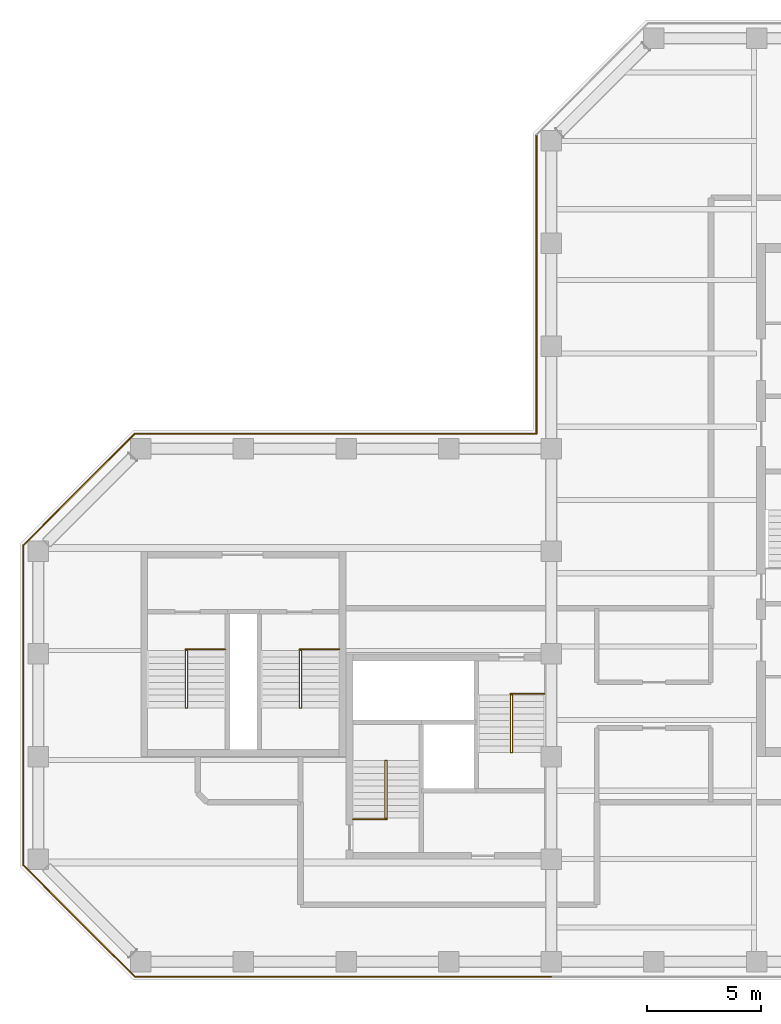
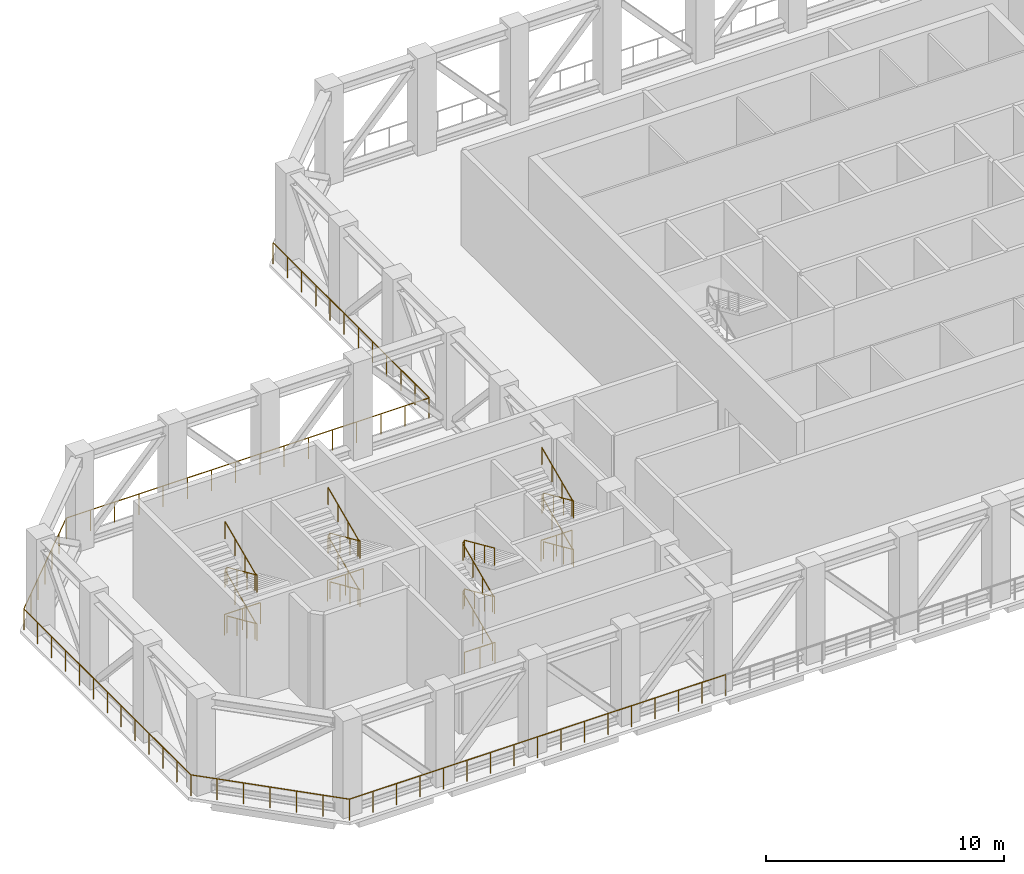
# One storey, part 12 of 13: 14 railings.
"""IFC4 building model written with IfcOpenShell, lengths in metres."""

from ifc_helpers import new_model, si_unit, direction, frame, origin, origin_2d, place, context, subcontext, project, spatial, circle, extrude, material, type_object, element, save


model = new_model("IFC4")

# Units and contexts
model_context = context("Model", 3, precision=1e-05, world=origin(), true_north=direction((0.0, 1.0)))
body_context = subcontext(model_context, "Body", "Model", "MODEL_VIEW")
ifc_project = project(units=[si_unit("LENGTHUNIT", "METRE"), si_unit("AREAUNIT", "SQUARE_METRE"), si_unit("VOLUMEUNIT", "CUBIC_METRE"), si_unit("PLANEANGLEUNIT", "RADIAN"), si_unit("MASSUNIT", "GRAM", prefix="KILO")], contexts=[model_context])

# Site, building, storey
site_placement = place(None, origin())
site = spatial("IfcSite", under=ifc_project, at=site_placement, CompositionType="ELEMENT")
building_placement = place(site_placement, origin())
building = spatial("IfcBuilding", under=site, at=building_placement, Name="Quoin Convention Tower", CompositionType="ELEMENT")
storey_placement = place(building_placement, frame((0.0, 0.0, 206.89990234375)))
storey = spatial("IfcBuildingStorey", under=building, at=storey_placement, Name="L54", CompositionType="ELEMENT", Elevation=206.89990234375)

# Railings
ifc_material = material(Name="Stainless steel", Category="steel")
railing_type_1 = type_object("IfcRailingType", Name="Guard 1100", PredefinedType="GUARDRAIL", material=ifc_material)
railing_1_placement = place(storey_placement, frame((35.35009765625, 76.769287109375, 0.0)))
element("IfcRailing", 1, at=railing_1_placement, inside=storey, type_object=railing_type_1, Name="grd-L54-36000_76500", PredefinedType="GUARDRAIL", context=body_context, shape_type="SweptSolid", body=[
    extrude(circle(Radius=0.02392578125, at=origin_2d()), frame((0.0, 0.0, 1.076171875), z_axis=(0.0, -1.0, 0.0), x_axis=(1.0, 0.0, 0.0)), (0.0, 0.0, 1.0), 13.119384765625),
    extrude(circle(Radius=0.02099609375, at=origin_2d()), origin(), (0.0, 0.0, 1.0), 1.052001953125),
    extrude(circle(Radius=0.02099609375, at=origin_2d()), frame((0.0, -1.192626953125, 0.0)), (0.0, 0.0, 1.0), 1.052001953125),
    extrude(circle(Radius=0.02099609375, at=origin_2d()), frame((0.0, -2.38525390625, 0.0)), (0.0, 0.0, 1.0), 1.052001953125),
    extrude(circle(Radius=0.02099609375, at=origin_2d()), frame((0.0, -3.578125, 0.0)), (0.0, 0.0, 1.0), 1.052001953125),
    extrude(circle(Radius=0.02099609375, at=origin_2d()), frame((0.0, -4.770751953125, 0.0)), (0.0, 0.0, 1.0), 1.052001953125),
    extrude(circle(Radius=0.02099609375, at=origin_2d()), frame((0.0, -5.96337890625, 0.0)), (0.0, 0.0, 1.0), 1.052001953125),
    extrude(circle(Radius=0.02099609375, at=origin_2d()), frame((0.0, -7.156005859375, 0.0)), (0.0, 0.0, 1.0), 1.052001953125),
    extrude(circle(Radius=0.02099609375, at=origin_2d()), frame((0.0, -8.3486328125, 0.0)), (0.0, 0.0, 1.0), 1.052001953125),
    extrude(circle(Radius=0.02099609375, at=origin_2d()), frame((0.0, -9.541259765625, 0.0)), (0.0, 0.0, 1.0), 1.052001953125),
    extrude(circle(Radius=0.02099609375, at=origin_2d()), frame((0.0, -10.734130859375, 0.0)), (0.0, 0.0, 1.0), 1.052001953125),
    extrude(circle(Radius=0.02099609375, at=origin_2d()), frame((0.0, -11.9267578125, 0.0)), (0.0, 0.0, 1.0), 1.052001953125),
    extrude(circle(Radius=0.02099609375, at=origin_2d()), frame((0.0, -13.119384765625, 0.0)), (0.0, 0.0, 1.0), 1.052001953125),
])
railing_2_placement = place(storey_placement, frame((35.35009765625, 63.64990234375, 0.0)))
element("IfcRailing", 2, at=railing_2_placement, inside=storey, type_object=railing_type_1, Name="grd-L54-36000_63000", PredefinedType="GUARDRAIL", context=body_context, shape_type="SweptSolid", body=[
    extrude(circle(Radius=0.02392578125, at=origin_2d()), frame((0.0, 0.0, 1.076171875), z_axis=(-1.0, 0.0, 0.0), x_axis=(0.0, -1.0, 0.0)), (0.0, 0.0, 1.0), 17.619384765625),
    extrude(circle(Radius=0.02099609375, at=origin_2d()), origin(), (0.0, 0.0, 1.0), 1.052001953125),
    extrude(circle(Radius=0.02099609375, at=origin_2d()), frame((-1.174560546875, 0.0, 0.0)), (0.0, 0.0, 1.0), 1.052001953125),
    extrude(circle(Radius=0.02099609375, at=origin_2d()), frame((-2.349365234375, 0.0, 0.0)), (0.0, 0.0, 1.0), 1.052001953125),
    extrude(circle(Radius=0.02099609375, at=origin_2d()), frame((-3.52392578125, 0.0, 0.0)), (0.0, 0.0, 1.0), 1.052001953125),
    extrude(circle(Radius=0.02099609375, at=origin_2d()), frame((-4.698486328125, 0.0, 0.0)), (0.0, 0.0, 1.0), 1.052001953125),
    extrude(circle(Radius=0.02099609375, at=origin_2d()), frame((-5.873046875, 0.0, 0.0)), (0.0, 0.0, 1.0), 1.052001953125),
    extrude(circle(Radius=0.02099609375, at=origin_2d()), frame((-7.0478515625, 0.0, 0.0)), (0.0, 0.0, 1.0), 1.052001953125),
    extrude(circle(Radius=0.02099609375, at=origin_2d()), frame((-8.222412109375, 0.0, 0.0)), (0.0, 0.0, 1.0), 1.052001953125),
    extrude(circle(Radius=0.02099609375, at=origin_2d()), frame((-9.39697265625, 0.0, 0.0)), (0.0, 0.0, 1.0), 1.052001953125),
    extrude(circle(Radius=0.02099609375, at=origin_2d()), frame((-10.571533203125, 0.0, 0.0)), (0.0, 0.0, 1.0), 1.052001953125),
    extrude(circle(Radius=0.02099609375, at=origin_2d()), frame((-11.746337890625, 0.0, 0.0)), (0.0, 0.0, 1.0), 1.052001953125),
    extrude(circle(Radius=0.02099609375, at=origin_2d()), frame((-12.9208984375, 0.0, 0.0)), (0.0, 0.0, 1.0), 1.052001953125),
    extrude(circle(Radius=0.02099609375, at=origin_2d()), frame((-14.095458984375, 0.0, 0.0)), (0.0, 0.0, 1.0), 1.052001953125),
    extrude(circle(Radius=0.02099609375, at=origin_2d()), frame((-15.27001953125, 0.0, 0.0)), (0.0, 0.0, 1.0), 1.052001953125),
    extrude(circle(Radius=0.02099609375, at=origin_2d()), frame((-16.44482421875, 0.0, 0.0)), (0.0, 0.0, 1.0), 1.052001953125),
    extrude(circle(Radius=0.02099609375, at=origin_2d()), frame((-17.619384765625, 0.0, 0.0)), (0.0, 0.0, 1.0), 1.052001953125),
])
railing_3_placement = place(storey_placement, frame((17.730712890625, 63.64990234375, 0.0)))
element("IfcRailing", 3, at=railing_3_placement, inside=storey, type_object=railing_type_1, Name="grd-L54-18000_63000", PredefinedType="GUARDRAIL", context=body_context, shape_type="SweptSolid", body=[
    extrude(circle(Radius=0.02392578125, at=origin_2d()), frame((0.0, 0.0, 1.076171875), z_axis=(-0.707106781187, -0.707106781187, 0.0), x_axis=(0.707106781187, -0.707106781187, 0.0)), (0.0, 0.0, 1.0), 6.90234375),
    extrude(circle(Radius=0.02099609375, at=origin_2d()), origin(), (0.0, 0.0, 1.0), 1.052001953125),
    extrude(circle(Radius=0.02099609375, at=origin_2d()), frame((-0.8134765625, -0.8134765625, 0.0)), (0.0, 0.0, 1.0), 1.052001953125),
    extrude(circle(Radius=0.02099609375, at=origin_2d()), frame((-1.626953125, -1.626953125, 0.0)), (0.0, 0.0, 1.0), 1.052001953125),
    extrude(circle(Radius=0.02099609375, at=origin_2d()), frame((-2.4404296875, -2.4404296875, 0.0)), (0.0, 0.0, 1.0), 1.052001953125),
    extrude(circle(Radius=0.02099609375, at=origin_2d()), frame((-3.253662109375, -3.253662109375, 0.0)), (0.0, 0.0, 1.0), 1.052001953125),
    extrude(circle(Radius=0.02099609375, at=origin_2d()), frame((-4.067138671875, -4.067138671875, 0.0)), (0.0, 0.0, 1.0), 1.052001953125),
    extrude(circle(Radius=0.02099609375, at=origin_2d()), frame((-4.880615234375, -4.880615234375, 0.0)), (0.0, 0.0, 1.0), 1.052001953125),
])
railing_4_placement = place(storey_placement, frame((12.85009765625, 58.769287109375, 0.0)))
element("IfcRailing", 4, at=railing_4_placement, inside=storey, type_object=railing_type_1, Name="grd-L54-13500_58500", PredefinedType="GUARDRAIL", context=body_context, shape_type="SweptSolid", body=[
    extrude(circle(Radius=0.02392578125, at=origin_2d()), frame((0.0, 0.0, 1.076171875), z_axis=(0.0, -1.0, 0.0), x_axis=(1.0, 0.0, 0.0)), (0.0, 0.0, 1.0), 14.03857421875),
    extrude(circle(Radius=0.02099609375, at=origin_2d()), origin(), (0.0, 0.0, 1.0), 1.052001953125),
    extrude(circle(Radius=0.02099609375, at=origin_2d()), frame((0.0, -1.169921875, 0.0)), (0.0, 0.0, 1.0), 1.052001953125),
    extrude(circle(Radius=0.02099609375, at=origin_2d()), frame((0.0, -2.33984375, 0.0)), (0.0, 0.0, 1.0), 1.052001953125),
    extrude(circle(Radius=0.02099609375, at=origin_2d()), frame((0.0, -3.509765625, 0.0)), (0.0, 0.0, 1.0), 1.052001953125),
    extrude(circle(Radius=0.02099609375, at=origin_2d()), frame((0.0, -4.679443359375, 0.0)), (0.0, 0.0, 1.0), 1.052001953125),
    extrude(circle(Radius=0.02099609375, at=origin_2d()), frame((0.0, -5.849365234375, 0.0)), (0.0, 0.0, 1.0), 1.052001953125),
    extrude(circle(Radius=0.02099609375, at=origin_2d()), frame((0.0, -7.019287109375, 0.0)), (0.0, 0.0, 1.0), 1.052001953125),
    extrude(circle(Radius=0.02099609375, at=origin_2d()), frame((0.0, -8.189208984375, 0.0)), (0.0, 0.0, 1.0), 1.052001953125),
    extrude(circle(Radius=0.02099609375, at=origin_2d()), frame((0.0, -9.359130859375, 0.0)), (0.0, 0.0, 1.0), 1.052001953125),
    extrude(circle(Radius=0.02099609375, at=origin_2d()), frame((0.0, -10.52880859375, 0.0)), (0.0, 0.0, 1.0), 1.052001953125),
    extrude(circle(Radius=0.02099609375, at=origin_2d()), frame((0.0, -11.69873046875, 0.0)), (0.0, 0.0, 1.0), 1.052001953125),
    extrude(circle(Radius=0.02099609375, at=origin_2d()), frame((0.0, -12.86865234375, 0.0)), (0.0, 0.0, 1.0), 1.052001953125),
    extrude(circle(Radius=0.02099609375, at=origin_2d()), frame((0.0, -14.03857421875, 0.0)), (0.0, 0.0, 1.0), 1.052001953125),
])
railing_5_placement = place(storey_placement, frame((12.85009765625, 44.730712890625, 0.0)))
element("IfcRailing", 5, at=railing_5_placement, inside=storey, type_object=railing_type_1, Name="grd-L54-13500_45000", PredefinedType="GUARDRAIL", context=body_context, shape_type="SweptSolid", body=[
    extrude(circle(Radius=0.02392578125, at=origin_2d()), frame((0.0, 0.0, 1.076171875), z_axis=(0.707106781187, -0.707106781187, 0.0), x_axis=(0.707106781187, 0.707106781187, 0.0)), (0.0, 0.0, 1.0), 6.90234375),
    extrude(circle(Radius=0.02099609375, at=origin_2d()), origin(), (0.0, 0.0, 1.0), 1.052001953125),
    extrude(circle(Radius=0.02099609375, at=origin_2d()), frame((0.8134765625, -0.8134765625, 0.0)), (0.0, 0.0, 1.0), 1.052001953125),
    extrude(circle(Radius=0.02099609375, at=origin_2d()), frame((1.626953125, -1.626953125, 0.0)), (0.0, 0.0, 1.0), 1.052001953125),
    extrude(circle(Radius=0.02099609375, at=origin_2d()), frame((2.4404296875, -2.4404296875, 0.0)), (0.0, 0.0, 1.0), 1.052001953125),
    extrude(circle(Radius=0.02099609375, at=origin_2d()), frame((3.253662109375, -3.253662109375, 0.0)), (0.0, 0.0, 1.0), 1.052001953125),
    extrude(circle(Radius=0.02099609375, at=origin_2d()), frame((4.067138671875, -4.067138671875, 0.0)), (0.0, 0.0, 1.0), 1.052001953125),
    extrude(circle(Radius=0.02099609375, at=origin_2d()), frame((4.880615234375, -4.880615234375, 0.0)), (0.0, 0.0, 1.0), 1.052001953125),
])
railing_6_placement = place(storey_placement, frame((17.730712890625, 39.85009765625, 0.0)))
element("IfcRailing", 6, at=railing_6_placement, inside=storey, type_object=railing_type_1, Name="grd-L54-18000_40500", PredefinedType="GUARDRAIL", context=body_context, shape_type="SweptSolid", body=[
    extrude(circle(Radius=0.02392578125, at=origin_2d()), frame((0.0, 0.0, 1.076171875), z_axis=(1.0, 0.0, 0.0), x_axis=(0.0, 1.0, 0.0)), (0.0, 0.0, 1.0), 18.269287109375),
    extrude(circle(Radius=0.02099609375, at=origin_2d()), origin(), (0.0, 0.0, 1.0), 1.052001953125),
    extrude(circle(Radius=0.02099609375, at=origin_2d()), frame((1.141845703125, 0.0, 0.0)), (0.0, 0.0, 1.0), 1.052001953125),
    extrude(circle(Radius=0.02099609375, at=origin_2d()), frame((2.28369140625, 0.0, 0.0)), (0.0, 0.0, 1.0), 1.052001953125),
    extrude(circle(Radius=0.02099609375, at=origin_2d()), frame((3.425537109375, 0.0, 0.0)), (0.0, 0.0, 1.0), 1.052001953125),
    extrude(circle(Radius=0.02099609375, at=origin_2d()), frame((4.5673828125, 0.0, 0.0)), (0.0, 0.0, 1.0), 1.052001953125),
    extrude(circle(Radius=0.02099609375, at=origin_2d()), frame((5.709228515625, 0.0, 0.0)), (0.0, 0.0, 1.0), 1.052001953125),
    extrude(circle(Radius=0.02099609375, at=origin_2d()), frame((6.85107421875, 0.0, 0.0)), (0.0, 0.0, 1.0), 1.052001953125),
    extrude(circle(Radius=0.02099609375, at=origin_2d()), frame((7.992919921875, 0.0, 0.0)), (0.0, 0.0, 1.0), 1.052001953125),
    extrude(circle(Radius=0.02099609375, at=origin_2d()), frame((9.134765625, 0.0, 0.0)), (0.0, 0.0, 1.0), 1.052001953125),
    extrude(circle(Radius=0.02099609375, at=origin_2d()), frame((10.2763671875, 0.0, 0.0)), (0.0, 0.0, 1.0), 1.052001953125),
    extrude(circle(Radius=0.02099609375, at=origin_2d()), frame((11.418212890625, 0.0, 0.0)), (0.0, 0.0, 1.0), 1.052001953125),
    extrude(circle(Radius=0.02099609375, at=origin_2d()), frame((12.56005859375, 0.0, 0.0)), (0.0, 0.0, 1.0), 1.052001953125),
    extrude(circle(Radius=0.02099609375, at=origin_2d()), frame((13.701904296875, 0.0, 0.0)), (0.0, 0.0, 1.0), 1.052001953125),
    extrude(circle(Radius=0.02099609375, at=origin_2d()), frame((14.84375, 0.0, 0.0)), (0.0, 0.0, 1.0), 1.052001953125),
    extrude(circle(Radius=0.02099609375, at=origin_2d()), frame((15.985595703125, 0.0, 0.0)), (0.0, 0.0, 1.0), 1.052001953125),
    extrude(circle(Radius=0.02099609375, at=origin_2d()), frame((17.12744140625, 0.0, 0.0)), (0.0, 0.0, 1.0), 1.052001953125),
    extrude(circle(Radius=0.02099609375, at=origin_2d()), frame((18.269287109375, 0.0, 0.0)), (0.0, 0.0, 1.0), 1.052001953125),
])
railing_type_2 = type_object("IfcRailingType", Name="Stair handrail 900", PredefinedType="HANDRAIL", material=ifc_material)
railing_7_placement = place(storey_placement, frame((28.705078125, 46.800048828125, 0.125)))
element("IfcRailing", 7, at=railing_7_placement, inside=storey, type_object=railing_type_2, Name="SD3 handrail 1", PredefinedType="HANDRAIL", context=body_context, shape_type="SweptSolid", body=[
    extrude(circle(Radius=0.02392578125, at=origin_2d()), frame((0.0, 0.0, 0.8759765625), z_axis=(0.0, 0.913139058521, 0.407648205936), x_axis=(-1.0, 0.0, 0.0)), (0.0, 0.0, 1.0), 2.759765625),
    extrude(circle(Radius=0.02392578125, at=origin_2d()), frame((0.0, 2.52001953125, 2.0009765625), z_axis=(0.583636048153, 0.0, 0.812015371343), x_axis=(0.0, 1.0, 0.0)), (0.0, 0.0, 1.0), 0.154052734375),
    extrude(circle(Radius=0.02392578125, at=origin_2d()), frame((0.08984375, 2.52001953125, 2.1259765625), z_axis=(0.0, -0.913139058521, 0.407648205936), x_axis=(1.0, 0.0, 0.0)), (0.0, 0.0, 1.0), 2.759765625),
    extrude(circle(Radius=0.02392578125, at=origin_2d()), frame((0.08984375, 0.0, 3.2509765625), z_axis=(-0.583636048153, 0.0, 0.812015371343), x_axis=(0.0, -1.0, 0.0)), (0.0, 0.0, 1.0), 0.154052734375),
    extrude(circle(Radius=0.02392578125, at=origin_2d()), frame((0.0, 0.0, 3.3759765625), z_axis=(0.0, 0.913139058521, 0.407648205936), x_axis=(-1.0, 0.0, 0.0)), (0.0, 0.0, 1.0), 2.759765625),
    extrude(circle(Radius=0.02392578125, at=origin_2d()), frame((0.0, 2.52001953125, 4.5009765625), z_axis=(0.583636048153, 0.0, 0.812015371343), x_axis=(0.0, 1.0, 0.0)), (0.0, 0.0, 1.0), 0.154052734375),
    extrude(circle(Radius=0.02392578125, at=origin_2d()), frame((0.08984375, 2.52001953125, 4.6259765625), z_axis=(0.0, -0.913139058521, 0.407648205936), x_axis=(1.0, 0.0, 0.0)), (0.0, 0.0, 1.0), 2.759765625),
    extrude(circle(Radius=0.02099609375, at=origin_2d()), origin(), (0.0, 0.0, 1.0), 0.851806640625),
    extrude(circle(Radius=0.02099609375, at=origin_2d()), frame((0.0, 0.840087890625, 0.375)), (0.0, 0.0, 1.0), 0.851806640625),
    extrude(circle(Radius=0.02099609375, at=origin_2d()), frame((0.0, 1.679931640625, 0.75)), (0.0, 0.0, 1.0), 0.851806640625),
    extrude(circle(Radius=0.02099609375, at=origin_2d()), frame((0.0, 2.52001953125, 1.125)), (0.0, 0.0, 1.0), 0.851806640625),
    extrude(circle(Radius=0.02099609375, at=origin_2d()), frame((0.08984375, 2.52001953125, 1.25)), (0.0, 0.0, 1.0), 0.851806640625),
    extrude(circle(Radius=0.02099609375, at=origin_2d()), frame((0.08984375, 1.679931640625, 1.625)), (0.0, 0.0, 1.0), 0.851806640625),
    extrude(circle(Radius=0.02099609375, at=origin_2d()), frame((0.08984375, 0.840087890625, 2.0)), (0.0, 0.0, 1.0), 0.851806640625),
    extrude(circle(Radius=0.02099609375, at=origin_2d()), frame((0.08984375, 0.0, 2.375)), (0.0, 0.0, 1.0), 0.851806640625),
    extrude(circle(Radius=0.02099609375, at=origin_2d()), frame((0.0, 0.0, 2.5)), (0.0, 0.0, 1.0), 0.851806640625),
    extrude(circle(Radius=0.02099609375, at=origin_2d()), frame((0.0, 0.840087890625, 2.875)), (0.0, 0.0, 1.0), 0.851806640625),
    extrude(circle(Radius=0.02099609375, at=origin_2d()), frame((0.0, 1.679931640625, 3.25)), (0.0, 0.0, 1.0), 0.851806640625),
    extrude(circle(Radius=0.02099609375, at=origin_2d()), frame((0.0, 2.52001953125, 3.625)), (0.0, 0.0, 1.0), 0.851806640625),
    extrude(circle(Radius=0.02099609375, at=origin_2d()), frame((0.08984375, 2.52001953125, 3.75)), (0.0, 0.0, 1.0), 0.851806640625),
    extrude(circle(Radius=0.02099609375, at=origin_2d()), frame((0.08984375, 1.679931640625, 4.125)), (0.0, 0.0, 1.0), 0.851806640625),
    extrude(circle(Radius=0.02099609375, at=origin_2d()), frame((0.08984375, 0.840087890625, 4.5)), (0.0, 0.0, 1.0), 0.851806640625),
    extrude(circle(Radius=0.02099609375, at=origin_2d()), frame((0.08984375, 0.0, 4.875)), (0.0, 0.0, 1.0), 0.851806640625),
])
railing_8_placement = place(storey_placement, frame((34.294921875, 52.199951171875, 0.125)))
element("IfcRailing", 8, at=railing_8_placement, inside=storey, type_object=railing_type_2, Name="SD4 handrail 1", PredefinedType="HANDRAIL", context=body_context, shape_type="SweptSolid", body=[
    extrude(circle(Radius=0.02392578125, at=origin_2d()), frame((0.0, 0.0, 0.8759765625), z_axis=(0.0, -0.913139058521, 0.407648205936), x_axis=(1.0, 0.0, 0.0)), (0.0, 0.0, 1.0), 2.759765625),
    extrude(circle(Radius=0.02392578125, at=origin_2d()), frame((0.0, -2.52001953125, 2.0009765625), z_axis=(-0.583636048153, 0.0, 0.812015371343), x_axis=(0.0, -1.0, 0.0)), (0.0, 0.0, 1.0), 0.154052734375),
    extrude(circle(Radius=0.02392578125, at=origin_2d()), frame((-0.08984375, -2.52001953125, 2.1259765625), z_axis=(0.0, 0.913139058521, 0.407648205936), x_axis=(-1.0, 0.0, 0.0)), (0.0, 0.0, 1.0), 2.759765625),
    extrude(circle(Radius=0.02392578125, at=origin_2d()), frame((-0.08984375, 0.0, 3.2509765625), z_axis=(0.583636048153, 0.0, 0.812015371343), x_axis=(0.0, 1.0, 0.0)), (0.0, 0.0, 1.0), 0.154052734375),
    extrude(circle(Radius=0.02392578125, at=origin_2d()), frame((0.0, 0.0, 3.3759765625), z_axis=(0.0, -0.913139058521, 0.407648205936), x_axis=(1.0, 0.0, 0.0)), (0.0, 0.0, 1.0), 2.759765625),
    extrude(circle(Radius=0.02392578125, at=origin_2d()), frame((0.0, -2.52001953125, 4.5009765625), z_axis=(-0.583636048153, 0.0, 0.812015371343), x_axis=(0.0, -1.0, 0.0)), (0.0, 0.0, 1.0), 0.154052734375),
    extrude(circle(Radius=0.02392578125, at=origin_2d()), frame((-0.08984375, -2.52001953125, 4.6259765625), z_axis=(0.0, 0.913139058521, 0.407648205936), x_axis=(-1.0, 0.0, 0.0)), (0.0, 0.0, 1.0), 2.759765625),
    extrude(circle(Radius=0.02099609375, at=origin_2d()), origin(), (0.0, 0.0, 1.0), 0.851806640625),
    extrude(circle(Radius=0.02099609375, at=origin_2d()), frame((0.0, -0.840087890625, 0.375)), (0.0, 0.0, 1.0), 0.851806640625),
    extrude(circle(Radius=0.02099609375, at=origin_2d()), frame((0.0, -1.679931640625, 0.75)), (0.0, 0.0, 1.0), 0.851806640625),
    extrude(circle(Radius=0.02099609375, at=origin_2d()), frame((0.0, -2.52001953125, 1.125)), (0.0, 0.0, 1.0), 0.851806640625),
    extrude(circle(Radius=0.02099609375, at=origin_2d()), frame((-0.08984375, -2.52001953125, 1.25)), (0.0, 0.0, 1.0), 0.851806640625),
    extrude(circle(Radius=0.02099609375, at=origin_2d()), frame((-0.08984375, -1.679931640625, 1.625)), (0.0, 0.0, 1.0), 0.851806640625),
    extrude(circle(Radius=0.02099609375, at=origin_2d()), frame((-0.08984375, -0.840087890625, 2.0)), (0.0, 0.0, 1.0), 0.851806640625),
    extrude(circle(Radius=0.02099609375, at=origin_2d()), frame((-0.08984375, 0.0, 2.375)), (0.0, 0.0, 1.0), 0.851806640625),
    extrude(circle(Radius=0.02099609375, at=origin_2d()), frame((0.0, 0.0, 2.5)), (0.0, 0.0, 1.0), 0.851806640625),
    extrude(circle(Radius=0.02099609375, at=origin_2d()), frame((0.0, -0.840087890625, 2.875)), (0.0, 0.0, 1.0), 0.851806640625),
    extrude(circle(Radius=0.02099609375, at=origin_2d()), frame((0.0, -1.679931640625, 3.25)), (0.0, 0.0, 1.0), 0.851806640625),
    extrude(circle(Radius=0.02099609375, at=origin_2d()), frame((0.0, -2.52001953125, 3.625)), (0.0, 0.0, 1.0), 0.851806640625),
    extrude(circle(Radius=0.02099609375, at=origin_2d()), frame((-0.08984375, -2.52001953125, 3.75)), (0.0, 0.0, 1.0), 0.851806640625),
    extrude(circle(Radius=0.02099609375, at=origin_2d()), frame((-0.08984375, -1.679931640625, 4.125)), (0.0, 0.0, 1.0), 0.851806640625),
    extrude(circle(Radius=0.02099609375, at=origin_2d()), frame((-0.08984375, -0.840087890625, 4.5)), (0.0, 0.0, 1.0), 0.851806640625),
    extrude(circle(Radius=0.02099609375, at=origin_2d()), frame((-0.08984375, 0.0, 4.875)), (0.0, 0.0, 1.0), 0.851806640625),
])
railing_9_placement = place(storey_placement, frame((20.044921875, 54.14990234375, 0.125)))
element("IfcRailing", 9, at=railing_9_placement, inside=storey, type_object=railing_type_2, Name="SD11 handrail 1", PredefinedType="HANDRAIL", context=body_context, shape_type="SweptSolid", body=[
    extrude(circle(Radius=0.02392578125, at=origin_2d()), frame((0.0, 0.0, 0.8759765625), z_axis=(0.0, -0.913139058521, 0.407648205936), x_axis=(1.0, 0.0, 0.0)), (0.0, 0.0, 1.0), 2.759765625),
    extrude(circle(Radius=0.02392578125, at=origin_2d()), frame((0.0, -2.52001953125, 2.0009765625), z_axis=(-0.583636048153, 0.0, 0.812015371343), x_axis=(0.0, -1.0, 0.0)), (0.0, 0.0, 1.0), 0.154052734375),
    extrude(circle(Radius=0.02392578125, at=origin_2d()), frame((-0.08984375, -2.52001953125, 2.1259765625), z_axis=(0.0, 0.913139058521, 0.407648205936), x_axis=(-1.0, 0.0, 0.0)), (0.0, 0.0, 1.0), 2.759765625),
    extrude(circle(Radius=0.02392578125, at=origin_2d()), frame((-0.08984375, 0.0, 3.2509765625), z_axis=(0.583636048153, 0.0, 0.812015371343), x_axis=(0.0, 1.0, 0.0)), (0.0, 0.0, 1.0), 0.154052734375),
    extrude(circle(Radius=0.02392578125, at=origin_2d()), frame((0.0, 0.0, 3.3759765625), z_axis=(0.0, -0.913139058521, 0.407648205936), x_axis=(1.0, 0.0, 0.0)), (0.0, 0.0, 1.0), 2.759765625),
    extrude(circle(Radius=0.02392578125, at=origin_2d()), frame((0.0, -2.52001953125, 4.5009765625), z_axis=(-0.583636048153, 0.0, 0.812015371343), x_axis=(0.0, -1.0, 0.0)), (0.0, 0.0, 1.0), 0.154052734375),
    extrude(circle(Radius=0.02392578125, at=origin_2d()), frame((-0.08984375, -2.52001953125, 4.6259765625), z_axis=(0.0, 0.913139058521, 0.407648205936), x_axis=(-1.0, 0.0, 0.0)), (0.0, 0.0, 1.0), 2.759765625),
    extrude(circle(Radius=0.02099609375, at=origin_2d()), origin(), (0.0, 0.0, 1.0), 0.851806640625),
    extrude(circle(Radius=0.02099609375, at=origin_2d()), frame((0.0, -0.840087890625, 0.375)), (0.0, 0.0, 1.0), 0.851806640625),
    extrude(circle(Radius=0.02099609375, at=origin_2d()), frame((0.0, -1.679931640625, 0.75)), (0.0, 0.0, 1.0), 0.851806640625),
    extrude(circle(Radius=0.02099609375, at=origin_2d()), frame((0.0, -2.52001953125, 1.125)), (0.0, 0.0, 1.0), 0.851806640625),
    extrude(circle(Radius=0.02099609375, at=origin_2d()), frame((-0.08984375, -2.52001953125, 1.25)), (0.0, 0.0, 1.0), 0.851806640625),
    extrude(circle(Radius=0.02099609375, at=origin_2d()), frame((-0.08984375, -1.679931640625, 1.625)), (0.0, 0.0, 1.0), 0.851806640625),
    extrude(circle(Radius=0.02099609375, at=origin_2d()), frame((-0.08984375, -0.840087890625, 2.0)), (0.0, 0.0, 1.0), 0.851806640625),
    extrude(circle(Radius=0.02099609375, at=origin_2d()), frame((-0.08984375, 0.0, 2.375)), (0.0, 0.0, 1.0), 0.851806640625),
    extrude(circle(Radius=0.02099609375, at=origin_2d()), frame((0.0, 0.0, 2.5)), (0.0, 0.0, 1.0), 0.851806640625),
    extrude(circle(Radius=0.02099609375, at=origin_2d()), frame((0.0, -0.840087890625, 2.875)), (0.0, 0.0, 1.0), 0.851806640625),
    extrude(circle(Radius=0.02099609375, at=origin_2d()), frame((0.0, -1.679931640625, 3.25)), (0.0, 0.0, 1.0), 0.851806640625),
    extrude(circle(Radius=0.02099609375, at=origin_2d()), frame((0.0, -2.52001953125, 3.625)), (0.0, 0.0, 1.0), 0.851806640625),
    extrude(circle(Radius=0.02099609375, at=origin_2d()), frame((-0.08984375, -2.52001953125, 3.75)), (0.0, 0.0, 1.0), 0.851806640625),
    extrude(circle(Radius=0.02099609375, at=origin_2d()), frame((-0.08984375, -1.679931640625, 4.125)), (0.0, 0.0, 1.0), 0.851806640625),
    extrude(circle(Radius=0.02099609375, at=origin_2d()), frame((-0.08984375, -0.840087890625, 4.5)), (0.0, 0.0, 1.0), 0.851806640625),
    extrude(circle(Radius=0.02099609375, at=origin_2d()), frame((-0.08984375, 0.0, 4.875)), (0.0, 0.0, 1.0), 0.851806640625),
])
railing_10_placement = place(storey_placement, frame((25.044921875, 54.14990234375, 0.125)))
element("IfcRailing", 10, at=railing_10_placement, inside=storey, type_object=railing_type_2, Name="SD12 handrail 1", PredefinedType="HANDRAIL", context=body_context, shape_type="SweptSolid", body=[
    extrude(circle(Radius=0.02392578125, at=origin_2d()), frame((0.0, 0.0, 0.8759765625), z_axis=(0.0, -0.913139058521, 0.407648205936), x_axis=(1.0, 0.0, 0.0)), (0.0, 0.0, 1.0), 2.759765625),
    extrude(circle(Radius=0.02392578125, at=origin_2d()), frame((0.0, -2.52001953125, 2.0009765625), z_axis=(-0.583636048153, 0.0, 0.812015371343), x_axis=(0.0, -1.0, 0.0)), (0.0, 0.0, 1.0), 0.154052734375),
    extrude(circle(Radius=0.02392578125, at=origin_2d()), frame((-0.08984375, -2.52001953125, 2.1259765625), z_axis=(0.0, 0.913139058521, 0.407648205936), x_axis=(-1.0, 0.0, 0.0)), (0.0, 0.0, 1.0), 2.759765625),
    extrude(circle(Radius=0.02392578125, at=origin_2d()), frame((-0.08984375, 0.0, 3.2509765625), z_axis=(0.583636048153, 0.0, 0.812015371343), x_axis=(0.0, 1.0, 0.0)), (0.0, 0.0, 1.0), 0.154052734375),
    extrude(circle(Radius=0.02392578125, at=origin_2d()), frame((0.0, 0.0, 3.3759765625), z_axis=(0.0, -0.913139058521, 0.407648205936), x_axis=(1.0, 0.0, 0.0)), (0.0, 0.0, 1.0), 2.759765625),
    extrude(circle(Radius=0.02392578125, at=origin_2d()), frame((0.0, -2.52001953125, 4.5009765625), z_axis=(-0.583636048153, 0.0, 0.812015371343), x_axis=(0.0, -1.0, 0.0)), (0.0, 0.0, 1.0), 0.154052734375),
    extrude(circle(Radius=0.02392578125, at=origin_2d()), frame((-0.08984375, -2.52001953125, 4.6259765625), z_axis=(0.0, 0.913139058521, 0.407648205936), x_axis=(-1.0, 0.0, 0.0)), (0.0, 0.0, 1.0), 2.759765625),
    extrude(circle(Radius=0.02099609375, at=origin_2d()), origin(), (0.0, 0.0, 1.0), 0.851806640625),
    extrude(circle(Radius=0.02099609375, at=origin_2d()), frame((0.0, -0.840087890625, 0.375)), (0.0, 0.0, 1.0), 0.851806640625),
    extrude(circle(Radius=0.02099609375, at=origin_2d()), frame((0.0, -1.679931640625, 0.75)), (0.0, 0.0, 1.0), 0.851806640625),
    extrude(circle(Radius=0.02099609375, at=origin_2d()), frame((0.0, -2.52001953125, 1.125)), (0.0, 0.0, 1.0), 0.851806640625),
    extrude(circle(Radius=0.02099609375, at=origin_2d()), frame((-0.08984375, -2.52001953125, 1.25)), (0.0, 0.0, 1.0), 0.851806640625),
    extrude(circle(Radius=0.02099609375, at=origin_2d()), frame((-0.08984375, -1.679931640625, 1.625)), (0.0, 0.0, 1.0), 0.851806640625),
    extrude(circle(Radius=0.02099609375, at=origin_2d()), frame((-0.08984375, -0.840087890625, 2.0)), (0.0, 0.0, 1.0), 0.851806640625),
    extrude(circle(Radius=0.02099609375, at=origin_2d()), frame((-0.08984375, 0.0, 2.375)), (0.0, 0.0, 1.0), 0.851806640625),
    extrude(circle(Radius=0.02099609375, at=origin_2d()), frame((0.0, 0.0, 2.5)), (0.0, 0.0, 1.0), 0.851806640625),
    extrude(circle(Radius=0.02099609375, at=origin_2d()), frame((0.0, -0.840087890625, 2.875)), (0.0, 0.0, 1.0), 0.851806640625),
    extrude(circle(Radius=0.02099609375, at=origin_2d()), frame((0.0, -1.679931640625, 3.25)), (0.0, 0.0, 1.0), 0.851806640625),
    extrude(circle(Radius=0.02099609375, at=origin_2d()), frame((0.0, -2.52001953125, 3.625)), (0.0, 0.0, 1.0), 0.851806640625),
    extrude(circle(Radius=0.02099609375, at=origin_2d()), frame((-0.08984375, -2.52001953125, 3.75)), (0.0, 0.0, 1.0), 0.851806640625),
    extrude(circle(Radius=0.02099609375, at=origin_2d()), frame((-0.08984375, -1.679931640625, 4.125)), (0.0, 0.0, 1.0), 0.851806640625),
    extrude(circle(Radius=0.02099609375, at=origin_2d()), frame((-0.08984375, -0.840087890625, 4.5)), (0.0, 0.0, 1.0), 0.851806640625),
    extrude(circle(Radius=0.02099609375, at=origin_2d()), frame((-0.08984375, 0.0, 4.875)), (0.0, 0.0, 1.0), 0.851806640625),
])
railing_type_3 = type_object("IfcRailingType", Name="Stair top guard 1100", PredefinedType="GUARDRAIL", material=ifc_material)
railing_11_placement = place(storey_placement, frame((27.300048828125, 46.75, 0.0)))
element("IfcRailing", 11, at=railing_11_placement, inside=storey, type_object=railing_type_3, Name="SD3 top guard", PredefinedType="GUARDRAIL", context=body_context, shape_type="SweptSolid", body=[
    extrude(circle(Radius=0.02392578125, at=origin_2d()), frame((0.0, 0.0, 1.076171875), z_axis=(1.0, 0.0, 0.0), x_axis=(0.0, 1.0, 0.0)), (0.0, 0.0, 1.0), 1.494873046875),
    extrude(circle(Radius=0.02099609375, at=origin_2d()), origin(), (0.0, 0.0, 1.0), 1.052001953125),
    extrude(circle(Radius=0.02099609375, at=origin_2d()), frame((0.74755859375, 0.0, 0.0)), (0.0, 0.0, 1.0), 1.052001953125),
    extrude(circle(Radius=0.02099609375, at=origin_2d()), frame((1.494873046875, 0.0, 0.0)), (0.0, 0.0, 1.0), 1.052001953125),
])
railing_12_placement = place(storey_placement, frame((35.699951171875, 52.25, 0.0)))
element("IfcRailing", 12, at=railing_12_placement, inside=storey, type_object=railing_type_3, Name="SD4 top guard", PredefinedType="GUARDRAIL", context=body_context, shape_type="SweptSolid", body=[
    extrude(circle(Radius=0.02392578125, at=origin_2d()), frame((0.0, 0.0, 1.076171875), z_axis=(-1.0, 0.0, 0.0), x_axis=(0.0, -1.0, 0.0)), (0.0, 0.0, 1.0), 1.494873046875),
    extrude(circle(Radius=0.02099609375, at=origin_2d()), origin(), (0.0, 0.0, 1.0), 1.052001953125),
    extrude(circle(Radius=0.02099609375, at=origin_2d()), frame((-0.74755859375, 0.0, 0.0)), (0.0, 0.0, 1.0), 1.052001953125),
    extrude(circle(Radius=0.02099609375, at=origin_2d()), frame((-1.494873046875, 0.0, 0.0)), (0.0, 0.0, 1.0), 1.052001953125),
])
for number, where, name in (
    (13, (21.699951171875, 54.199951171875, 0.0), "SD11 top guard"),
    (14, (26.699951171875, 54.199951171875, 0.0), "SD12 top guard"),
):
    element("IfcRailing", number, at=place(storey_placement, frame(where)), inside=storey, type_object=railing_type_3, Name=name, PredefinedType="GUARDRAIL", context=body_context, shape_type="SweptSolid", body=[
        extrude(circle(Radius=0.02392578125, at=origin_2d()), frame((0.0, 0.0, 1.076171875), z_axis=(-1.0, 0.0, 0.0), x_axis=(0.0, -1.0, 0.0)), (0.0, 0.0, 1.0), 1.744873046875),
        extrude(circle(Radius=0.02099609375, at=origin_2d()), origin(), (0.0, 0.0, 1.0), 1.052001953125),
        extrude(circle(Radius=0.02099609375, at=origin_2d()), frame((-0.87255859375, 0.0, 0.0)), (0.0, 0.0, 1.0), 1.052001953125),
        extrude(circle(Radius=0.02099609375, at=origin_2d()), frame((-1.744873046875, 0.0, 0.0)), (0.0, 0.0, 1.0), 1.052001953125),
    ])

save(model, "model.ifc")
